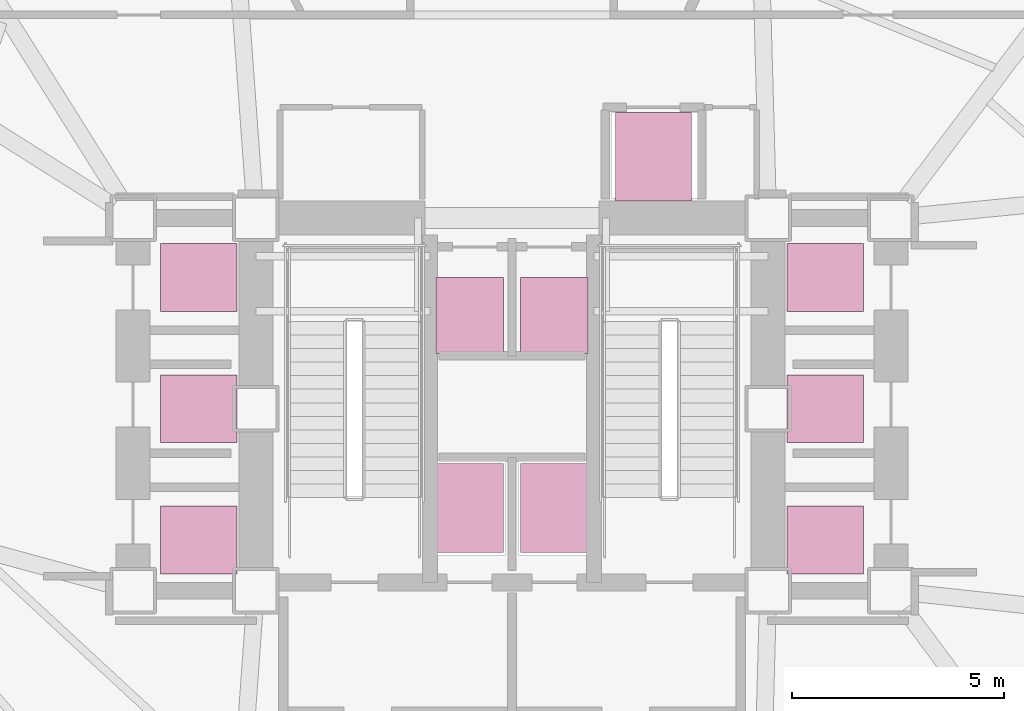
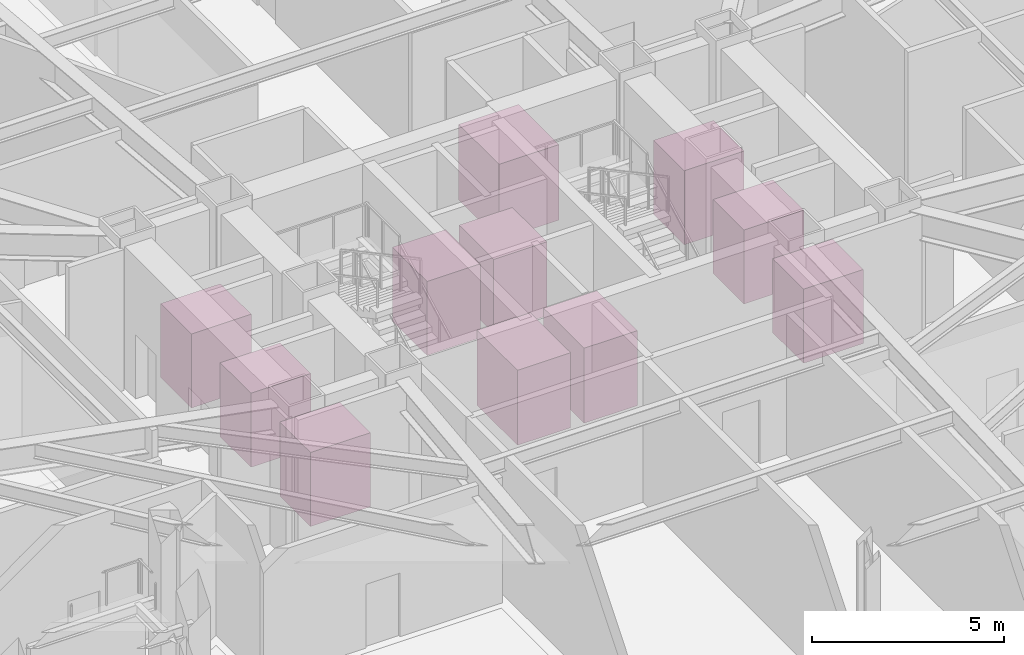
# One storey, part 10 of 10: 11 transport elements.
"""IFC4 building model written with IfcOpenShell, lengths in metres."""

import ifcopenshell
import ifcopenshell.guid

model = None  # the IFC model being written
_history = None  # IfcOwnerHistory: only IFC2X3 demands one
_inside = {}  # id of a spatial element -> (the spatial element, [elements in it])
_under = {}  # id of a project, library or spatial element -> (it, [spatial elements below it])
_declared = {}  # id of a project -> (the project, [libraries it declares])
_typed = {}  # id of a type object -> (the type object, [elements of that type])
_made_of = {}  # id of a material, layer set ... -> (it, [elements and type objects made of it])


def new_model(schema):
    """Start an empty IFC model of exactly this schema.

    Asked for "IFC4X3", IfcOpenShell would pick the latest addendum, in which some entities
    have other attributes; the version numbers below select the first issue.
    IFC2X3 requires an IfcOwnerHistory on every rooted entity: one is made here for all.
    """
    global model, _history
    if schema == "IFC4X3":
        model = ifcopenshell.file(schema_version=(4, 3, 0, 0))
    else:
        model = ifcopenshell.file(schema=schema)
    _inside.clear()
    _under.clear()
    _declared.clear()
    _typed.clear()
    _made_of.clear()
    _history = None
    if model.schema == "IFC2X3":
        org = make("IfcOrganization", Name="unknown")
        user = make(
            "IfcPersonAndOrganization",
            ThePerson=make("IfcPerson", FamilyName="unknown"),
            TheOrganization=org,
        )
        app = make(
            "IfcApplication",
            ApplicationDeveloper=org,
            Version="unknown",
            ApplicationFullName="unknown",
            ApplicationIdentifier="unknown",
        )
        _history = make(
            "IfcOwnerHistory",
            OwningUser=user,
            OwningApplication=app,
            ChangeAction="ADDED",
            CreationDate=0,
        )
    return model


def make(cls, **values):
    """One entity of the class cls with the attributes given. An attribute that is None is left unset."""
    return model.create_entity(
        cls, **{name: value for name, value in values.items() if value is not None}
    )


def rooted(cls, **values):
    """An entity with a GlobalId (a new one), such as an element, a storey or a relation."""
    return make(cls, GlobalId=ifcopenshell.guid.new(), OwnerHistory=_history, **values)


def si_unit(unit_type, name, prefix=None):
    """IfcSIUnit, for example si_unit("LENGTHUNIT", "METRE", prefix="MILLI")."""
    return make("IfcSIUnit", UnitType=unit_type, Prefix=prefix, Name=name)


def assignment(units):
    """IfcUnitAssignment: the units of a project."""
    return None if units is None else make("IfcUnitAssignment", Units=units)


def point(xyz):
    """IfcCartesianPoint."""
    return None if xyz is None else make("IfcCartesianPoint", Coordinates=xyz)


def direction(xyz):
    """IfcDirection."""
    return None if xyz is None else make("IfcDirection", DirectionRatios=xyz)


def frame(location, z_axis=None, x_axis=None):
    """IfcAxis2Placement3D, a coordinate frame: its origin and axes. An axis left out is left unset."""
    return make(
        "IfcAxis2Placement3D",
        Location=point(location),
        Axis=direction(z_axis),
        RefDirection=direction(x_axis),
    )


def frame_2d(location, x_axis=None):
    """IfcAxis2Placement2D, a coordinate frame in the plane: its origin and x axis."""
    return make(
        "IfcAxis2Placement2D", Location=point(location), RefDirection=direction(x_axis)
    )


def origin():
    """The frame at (0, 0, 0) with its axes left unset."""
    return frame((0.0, 0.0, 0.0))


def origin_2d():
    """The frame at (0, 0) in the plane with its x axis left unset."""
    return frame_2d((0.0, 0.0))


def place(relative_to, where):
    """IfcLocalPlacement: puts the frame where relative to a parent placement (None: the world)."""
    return make(
        "IfcLocalPlacement", PlacementRelTo=relative_to, RelativePlacement=where
    )


def context(
    kind, dimensions, precision=None, world=None, true_north=None, identifier=None
):
    """IfcGeometricRepresentationContext, for example the 3D "Model" context."""
    return make(
        "IfcGeometricRepresentationContext",
        ContextIdentifier=identifier,
        ContextType=kind,
        CoordinateSpaceDimension=dimensions,
        Precision=precision,
        WorldCoordinateSystem=world,
        TrueNorth=true_north,
    )


def subcontext(parent, identifier, kind, view, scale=None):
    """IfcGeometricRepresentationSubContext, for example "Body" below "Model"."""
    return make(
        "IfcGeometricRepresentationSubContext",
        ContextIdentifier=identifier,
        ContextType=kind,
        ParentContext=parent,
        TargetScale=scale,
        TargetView=view,
    )


def project(units=None, contexts=None):
    """IfcProject with its units and contexts."""
    return rooted(
        "IfcProject",
        Name="project",
        RepresentationContexts=contexts,
        UnitsInContext=assignment(units),
    )


def spatial(cls, under=None, at=None, **own):
    """A site, building, storey or space (cls), placed at a placement, below another one or the project."""
    s = rooted(cls, ObjectPlacement=at, **own)
    if under is not None:
        _under.setdefault(under.id(), (under, []))[1].append(s)
    return s


def profile(cls, at=None, kind="AREA", **sizes):
    """A parametric profile (cls). Its sizes go by their IFC names, for example OverallWidth=200.0."""
    return make(cls, ProfileType=kind, Position=at, **sizes)


def rectangle(**sizes):
    """IfcRectangleProfileDef."""
    return profile("IfcRectangleProfileDef", **sizes)


def extrude(swept, where, along, depth):
    """IfcExtrudedAreaSolid: the profile swept, set in the frame where, extruded along a direction by depth."""
    return make(
        "IfcExtrudedAreaSolid",
        SweptArea=swept,
        Position=where,
        ExtrudedDirection=direction(along),
        Depth=depth,
    )


def shape(context_of_items, identifier, shape_type, items):
    """IfcShapeRepresentation: the items that make up one representation, for example the "Body"."""
    return make(
        "IfcShapeRepresentation",
        ContextOfItems=context_of_items,
        RepresentationIdentifier=identifier,
        RepresentationType=shape_type,
        Items=items,
    )


def material(Name=None, Category=None):
    """IfcMaterial."""
    return make("IfcMaterial", Name=Name, Category=Category)


def made_of(thing, what):
    """Note that an element or type object is made of a material, layer set ...; save() writes the relation."""
    if what is not None:
        _made_of.setdefault(what.id(), (what, []))[1].append(thing)
    return thing


def type_object(cls, material=None, **own):
    """A type object (cls), such as IfcWallType, which elements share."""
    return made_of(rooted(cls, **own), material)


def element(
    cls,
    number,
    at=None,
    inside=None,
    cuts=None,
    type_object=None,
    material=None,
    context=None,
    identifier="Body",
    shape_type=None,
    held_by="IfcProductDefinitionShape",
    body=None,
    shapes=None,
    **own,
):
    """One element of the class cls, such as IfcWall. Its Tag is "e" and its number.

    at: its placement. inside: the storey or other place that contains it. cuts: it is an
    opening in that element (IfcRelVoidsElement). A single representation is given by context,
    identifier, shape_type and body (its items); several are given by shapes. held_by: the class
    of the entity that holds the representations. save() writes the other relations.
    """
    e = rooted(cls, Tag="e%d" % number, ObjectPlacement=at, **own)
    if body is not None:
        shapes = [shape(context, identifier, shape_type, body)]
    if shapes is not None:
        e.Representation = make(held_by, Representations=shapes)
    if inside is not None:
        _inside.setdefault(inside.id(), (inside, []))[1].append(e)
    if cuts is not None:
        rooted(
            "IfcRelVoidsElement", RelatingBuildingElement=cuts, RelatedOpeningElement=e
        )
    if type_object is not None:
        _typed.setdefault(type_object.id(), (type_object, []))[1].append(e)
    return made_of(e, material)


def aggregate(whole, parts):
    """IfcRelAggregates: a whole, such as a stair, and the parts it consists of."""
    return rooted("IfcRelAggregates", RelatingObject=whole, RelatedObjects=parts)


def save(model, path):
    """Write the relations noted so far, then the file.

    IfcRelAggregates (storeys below a building ...), IfcRelContainedInSpatialStructure (elements
    in a storey), IfcRelDefinesByType, IfcRelAssociatesMaterial and IfcRelDeclares: one each for
    every whole, place, type object, material and project.
    """
    for whole, parts in _under.values():
        aggregate(whole, parts)
    for where, things in _inside.values():
        rooted(
            "IfcRelContainedInSpatialStructure",
            RelatedElements=things,
            RelatingStructure=where,
        )
    for kind, things in _typed.values():
        rooted("IfcRelDefinesByType", RelatedObjects=things, RelatingType=kind)
    for what, things in _made_of.values():
        rooted("IfcRelAssociatesMaterial", RelatedObjects=things, RelatingMaterial=what)
    for by, libraries in _declared.values():
        rooted("IfcRelDeclares", RelatingContext=by, RelatedDefinitions=libraries)
    model.write(path)


model = new_model("IFC4")

# Units and contexts
model_context = context("Model", 3, precision=1e-05, world=origin(), true_north=direction((0.0, 1.0)))
body_context = subcontext(model_context, "Body", "Model", "MODEL_VIEW")
ifc_project = project(units=[si_unit("LENGTHUNIT", "METRE"), si_unit("AREAUNIT", "SQUARE_METRE"), si_unit("VOLUMEUNIT", "CUBIC_METRE"), si_unit("PLANEANGLEUNIT", "RADIAN"), si_unit("MASSUNIT", "GRAM", prefix="KILO")], contexts=[model_context])

# Site, building, storey
site_placement = place(None, origin())
site = spatial("IfcSite", under=ifc_project, at=site_placement, CompositionType="ELEMENT")
building_placement = place(site_placement, origin())
building = spatial("IfcBuilding", under=site, at=building_placement, Name="Rocaltana Carrier Exchange", CompositionType="ELEMENT")
storey_placement = place(building_placement, origin())
storey = spatial("IfcBuildingStorey", under=building, at=storey_placement, Name="L01", CompositionType="ELEMENT", Elevation=0.0)

# Transport elements
ifc_material_1 = material(Name="Brushed Stainless Cab & Laminated Glass", Category="glass")
transport_element_type_1 = type_object("IfcTransportElementType", Name="Firefighting Lift Car 1600x2100", PredefinedType="ELEVATOR", material=ifc_material_1)
for number, where, z_axis, x_axis, name in (
    (1, (-1.0, -2.35009765625, 0.0), (0.0, 0.0, 1.0), (1.0, 0.0, 0.0), "Firefighting Lift FFL-1"),
    (2, (1.0, -2.35009765625, 0.0), (0.0, 0.0, 1.0), (1.0, 0.0, 0.0), "Firefighting Lift FFL-2"),
):
    element("IfcTransportElement", number, at=place(storey_placement, frame(where, z_axis=z_axis, x_axis=x_axis)), inside=storey, type_object=transport_element_type_1, Name=name, PredefinedType="ELEVATOR", context=body_context, shape_type="SweptSolid", body=[
        extrude(rectangle(XDim=1.60009765625, YDim=2.10009765625, at=origin_2d()), origin(), (0.0, 0.0, 1.0), 2.3798828125),
    ])
ifc_material_2 = material(Name="Brushed Stainless Cab & Laminated Glass", Category="glass")
transport_element_type_2 = type_object("IfcTransportElementType", Name="Heavy Telecom Goods Lift Car 1800x2100", PredefinedType="ELEVATOR", material=ifc_material_2)
transport_element_placement = place(storey_placement, frame((3.340087890625, 5.949951171875, 0.0), z_axis=(0.0, 0.0, 1.0), x_axis=(1.0, 0.0, 0.0)))
element("IfcTransportElement", 3, at=transport_element_placement, inside=storey, type_object=transport_element_type_2, Name="Lift GL-1", PredefinedType="ELEVATOR", context=body_context, shape_type="SweptSolid", body=[
    extrude(rectangle(XDim=1.800048828125, YDim=2.10009765625, at=origin_2d()), origin(), (0.0, 0.0, 1.0), 2.39990234375),
])
ifc_material_3 = material(Name="Brushed Stainless Cab & Laminated Glass", Category="glass")
transport_element_type_3 = type_object("IfcTransportElementType", Name="High-Rise Passenger Lift Car 1600x1800", PredefinedType="ELEVATOR", material=ifc_material_3)
for number, where, z_axis, x_axis, name in (
    (4, (-1.0, 2.199951171875, 0.0), (0.0, 0.0, 1.0), (1.0, 0.0, 0.0), "Lift PL-H1"),
    (5, (1.0, 2.199951171875, 0.0), (0.0, 0.0, 1.0), (1.0, 0.0, 0.0), "Lift PL-H2"),
):
    element("IfcTransportElement", number, at=place(storey_placement, frame(where, z_axis=z_axis, x_axis=x_axis)), inside=storey, type_object=transport_element_type_3, Name=name, PredefinedType="ELEVATOR", context=body_context, shape_type="SweptSolid", body=[
        extrude(rectangle(XDim=1.60009765625, YDim=1.800048828125, at=origin_2d()), origin(), (0.0, 0.0, 1.0), 2.35009765625),
    ])
ifc_material_4 = material(Name="Brushed Stainless Cab & Laminated Glass", Category="glass")
transport_element_type_4 = type_object("IfcTransportElementType", Name="Zoned Passenger Lift Car 1600x1800", PredefinedType="ELEVATOR", material=ifc_material_4)
for number, where, z_axis, x_axis, name in (
    (6, (-7.39990234375, -3.10009765625, 0.0), (0.0, 0.0, 1.0), (1.0, 0.0, 0.0), "Lift PL-L1"),
    (7, (-7.39990234375, 0.0, 0.0), (0.0, 0.0, 1.0), (1.0, 0.0, 0.0), "Lift PL-L2"),
    (8, (-7.39990234375, 3.10009765625, 0.0), (0.0, 0.0, 1.0), (1.0, 0.0, 0.0), "Lift PL-L3"),
    (9, (7.39990234375, -3.10009765625, 0.0), (0.0, 0.0, 1.0), (1.0, 0.0, 0.0), "Lift PL-M1"),
    (10, (7.39990234375, 0.0, 0.0), (0.0, 0.0, 1.0), (1.0, 0.0, 0.0), "Lift PL-M2"),
    (11, (7.39990234375, 3.10009765625, 0.0), (0.0, 0.0, 1.0), (1.0, 0.0, 0.0), "Lift PL-M3"),
):
    element("IfcTransportElement", number, at=place(storey_placement, frame(where, z_axis=z_axis, x_axis=x_axis)), inside=storey, type_object=transport_element_type_4, Name=name, PredefinedType="ELEVATOR", context=body_context, shape_type="SweptSolid", body=[
        extrude(rectangle(XDim=1.800048828125, YDim=1.60009765625, at=origin_2d()), origin(), (0.0, 0.0, 1.0), 2.35009765625),
    ])

save(model, "model.ifc")
